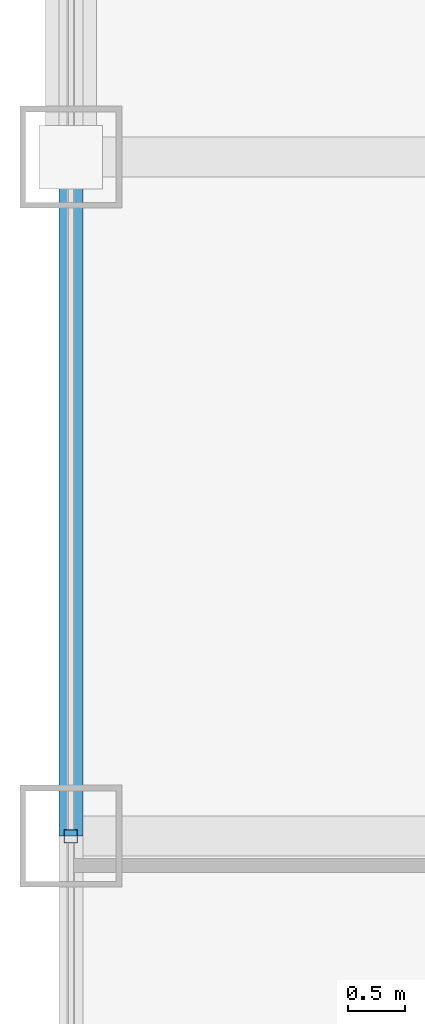
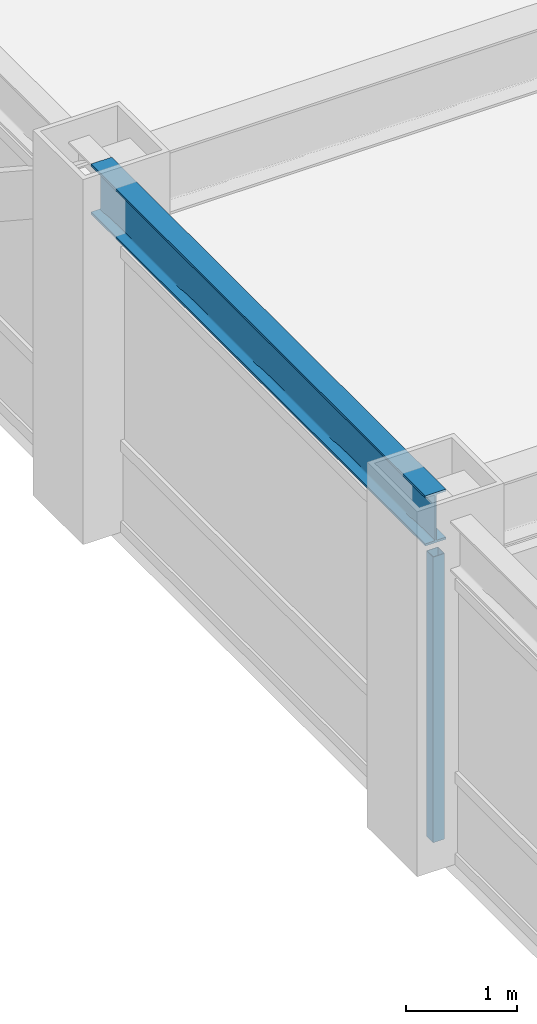
# One storey, part 6 of 22: 1 beam, 1 member, 1 element without a shape of its own.
"""IFC4 building model written with IfcOpenShell, lengths in metres."""

from ifc_helpers import new_model, si_unit, direction, frame, origin, origin_2d, place, context, subcontext, project, spatial, hollow_rectangle, i_section, extrude, source, transform, mapped, material, material_profile, profile_set, type_object, element, aggregate, save


model = new_model("IFC4")

# Units and contexts
model_context = context("Model", 3, precision=1e-05, world=origin(), true_north=direction((0.0, 1.0)))
body_context = subcontext(model_context, "Body", "Model", "MODEL_VIEW")
ifc_project = project(units=[si_unit("LENGTHUNIT", "METRE"), si_unit("AREAUNIT", "SQUARE_METRE"), si_unit("VOLUMEUNIT", "CUBIC_METRE"), si_unit("PLANEANGLEUNIT", "RADIAN"), si_unit("MASSUNIT", "GRAM", prefix="KILO")], contexts=[model_context])

# Site, building, storey
site_placement = place(None, origin())
site = spatial("IfcSite", under=ifc_project, at=site_placement, CompositionType="ELEMENT")
building_placement = place(site_placement, origin())
building = spatial("IfcBuilding", under=site, at=building_placement, Name="Khorayat Bourse Tower", CompositionType="ELEMENT")
storey_placement = place(building_placement, frame((0.0, 0.0, 301.5)))
storey = spatial("IfcBuildingStorey", under=building, at=storey_placement, Name="L71", CompositionType="ELEMENT", Elevation=301.5)

# Beam
ifc_material_1 = material(Name="Steel ASTM A992 Grade 50", Category="steel")
ifc_material_profile_1 = material_profile(ifc_material_1, i_section(OverallWidth=0.214111328125, OverallDepth=0.549072265625, WebThickness=0.0146484375, FlangeThickness=0.023681640625, FilletRadius=0.013916015625, at=origin_2d()), Name="W530X138")
ifc_profile_set_1 = profile_set([ifc_material_profile_1], Name="Steel ASTM A992 Grade 50")
beam_type = type_object("IfcBeamType", Name="BM-SPAN-530", PredefinedType="SPANDREL", material=ifc_profile_set_1)
shared_shape_1 = source(origin(), body_context, "Body", "SweptSolid", [
    extrude(i_section(OverallWidth=0.214111328125, OverallDepth=0.549072265625, WebThickness=0.0146484375, FlangeThickness=0.023681640625, FilletRadius=0.013916015625, at=origin_2d()), origin(), (0.0, 0.0, 1.0), 6.0),
])
beam_placement = place(storey_placement, frame((-28.0, 0.0, 3.505615234375), z_axis=(0.0, 1.0, 0.0), x_axis=(-1.0, 0.0, 0.0)))
element("IfcBeam", 1, at=beam_placement, inside=storey, type_object=beam_type, Name="L71 BM-SPAN-530 BM-L71-SPN-057", PredefinedType="SPANDREL", context=body_context, shape_type="MappedRepresentation", body=[
    mapped(shared_shape_1, transform((0.0, 0.0, 0.0), scale=1.0)),
])

# Curtain wall, member
ifc_material_2 = material(Name="Aluminium EN AW-6063 T6", Category="aluminium")
curtain_wall_type = type_object("IfcCurtainWallType", Name="CW-SYS-04", PredefinedType="NOTDEFINED", material=ifc_material_2)
curtain_wall_placement = place(storey_placement, origin())
curtain_wall = element("IfcCurtainWall", 2, at=curtain_wall_placement, inside=storey, type_object=curtain_wall_type, Name="L71 Curtain Wall CW-L71-W1", PredefinedType="NOTDEFINED")
ifc_material_profile_2 = material_profile(ifc_material_2, hollow_rectangle(XDim=0.1201171875, YDim=0.1201171875, WallThickness=0.0048828125, at=origin_2d()), Name="ALU 120x120x5")
ifc_profile_set_2 = profile_set([ifc_material_profile_2], Name="Aluminium EN AW-6063 T6")
member_type = type_object("IfcMemberType", Name="CWM-VERT-120", PredefinedType="MULLION", material=ifc_profile_set_2)
shared_shape_2 = source(origin(), body_context, "Body", "SweptSolid", [
    extrude(hollow_rectangle(XDim=0.1201171875, YDim=0.1201171875, WallThickness=0.0048828125, at=origin_2d()), origin(), (0.0, 0.0, 1.0), 3.1298828125),
])
member_placement = place(storey_placement, frame((-28.0, 0.0, 0.0), z_axis=(0.0, 0.0, 1.0), x_axis=(-1.0, 0.0, 0.0)))
member = element("IfcMember", 3, at=member_placement, type_object=member_type, Name="CW-L71-W1 Vertical Mullion 2", PredefinedType="MULLION", context=body_context, shape_type="MappedRepresentation", body=[
    mapped(shared_shape_2, transform((0.0, 0.0, 0.0), scale=1.0)),
])
aggregate(curtain_wall, [member])

save(model, "model.ifc")
